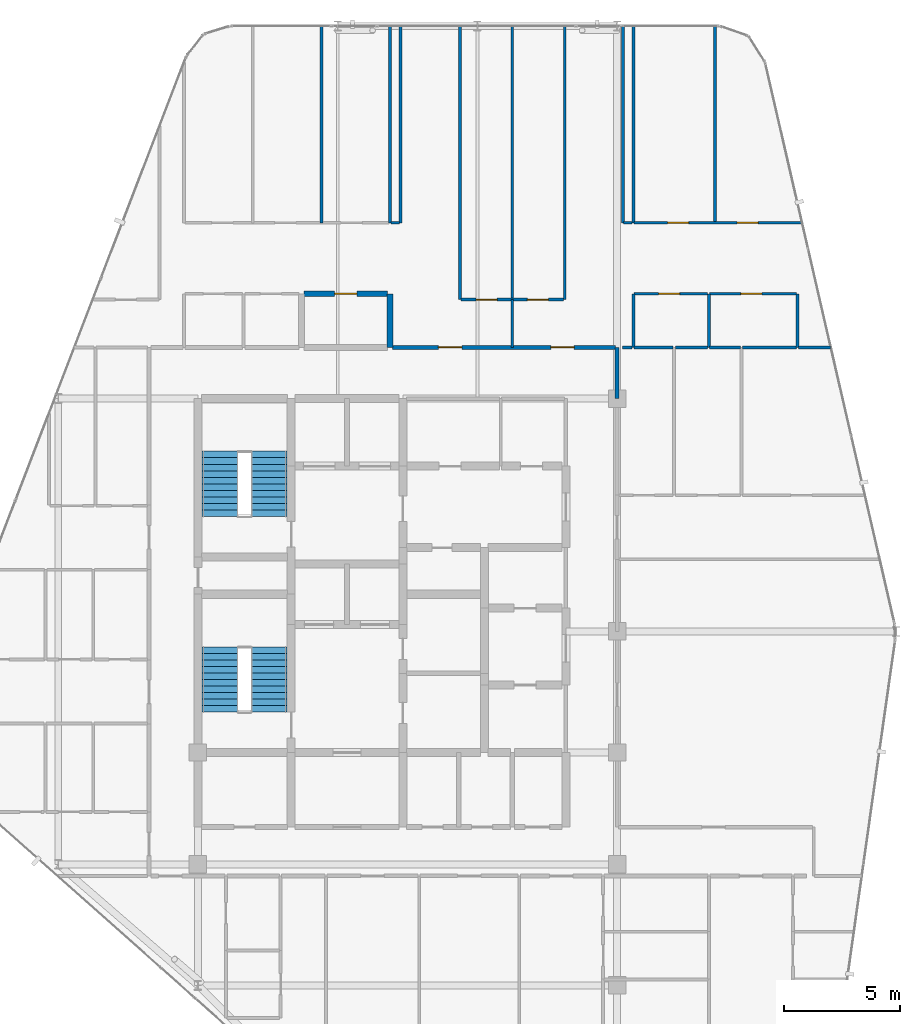
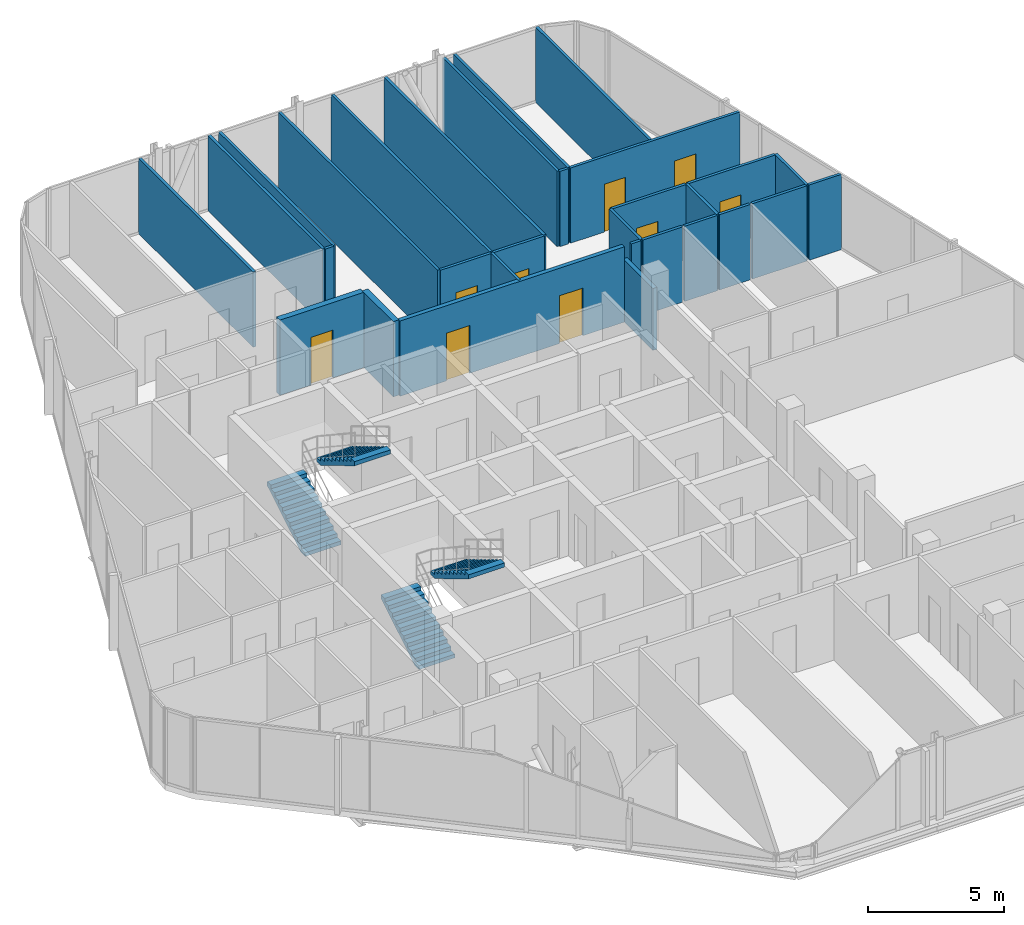
# One storey, part 26 of 27: 29 walls, 9 doors, 4 stair flights, 9 openings, 2 elements without a shape of their own.
"""IFC4 building model written with IfcOpenShell, lengths in metres."""

from ifc_helpers import new_model, si_unit, direction, frame, frame_2d, origin, place, context, subcontext, project, spatial, polyline, rectangle, outline, extrude, material, layer, layer_set, type_object, element, fill, aggregate, save


model = new_model("IFC4")

# Units and contexts
model_context = context("Model", 3, precision=1e-05, world=origin(), true_north=direction((0.0, 1.0)))
body_context = subcontext(model_context, "Body", "Model", "MODEL_VIEW")
ifc_project = project(units=[si_unit("LENGTHUNIT", "METRE"), si_unit("AREAUNIT", "SQUARE_METRE"), si_unit("VOLUMEUNIT", "CUBIC_METRE"), si_unit("PLANEANGLEUNIT", "RADIAN"), si_unit("MASSUNIT", "GRAM", prefix="KILO")], contexts=[model_context])

# Site, building, storey
site_placement = place(None, origin())
site = spatial("IfcSite", under=ifc_project, at=site_placement, CompositionType="ELEMENT")
building_placement = place(site_placement, origin())
building = spatial("IfcBuilding", under=site, at=building_placement, Name="Keshet Zoharim Tower", CompositionType="ELEMENT")
storey_placement = place(building_placement, frame((0.0, 0.0, 273.199951171875)))
storey = spatial("IfcBuildingStorey", under=building, at=storey_placement, Name="L68", CompositionType="ELEMENT", Elevation=273.199951171875)

# Wall, openings, doors
ifc_material_1 = material(Name="Gypsum Plasterboard", Category="gypsum")
ifc_layer_1 = layer(ifc_material_1, 0.179931640625)
ifc_layer_set_1 = layer_set([ifc_layer_1], Name="Gypsum Plasterboard")
wall_type_1 = type_object("IfcWallType", Name="WL-CORR-180", PredefinedType="STANDARD", material=ifc_layer_set_1)
wall_1_placement = place(storey_placement, frame((23.360107421875, 40.10009765625, 0.0), z_axis=(0.0, 0.0, 1.0), x_axis=(1.0, 0.0, 0.0)))
wall_1 = element("IfcWall", 1, at=wall_1_placement, inside=storey, type_object=wall_type_1, Name="L68 Interior Wall 154", PredefinedType="STANDARD", context=body_context, shape_type="SweptSolid", body=[
    extrude(rectangle(XDim=9.56494140625, YDim=0.179931640625, at=frame_2d((4.782470703125, 0.0))), origin(), (0.0, 0.0, 1.0), 3.39013671875),
])
opening_1_placement = place(wall_1_placement, frame((1.969970703125, 0.0, 0.0)))
opening_1 = element("IfcOpeningElement", 2, at=opening_1_placement, cuts=wall_1, Name="Opening D-F310", PredefinedType="OPENING", context=body_context, shape_type="SweptSolid", body=[
    extrude(rectangle(XDim=1.0, YDim=2.14990234375, at=frame_2d((0.5, 1.074951171875))), frame((0.0, 0.10009765625, 0.0), z_axis=(0.0, -1.0, 0.0), x_axis=(1.0, 0.0, 0.0)), (0.0, 0.0, 1.0), 0.199951171875),
])
opening_2_placement = place(wall_1_placement, frame((6.79296875, 0.0, 0.0)))
opening_2 = element("IfcOpeningElement", 3, at=opening_2_placement, cuts=wall_1, Name="Opening D-F310", PredefinedType="OPENING", context=body_context, shape_type="SweptSolid", body=[
    extrude(rectangle(XDim=1.0, YDim=2.14990234375, at=frame_2d((0.5, 1.074951171875))), frame((0.0, 0.10009765625, 0.0), z_axis=(0.0, -1.0, 0.0), x_axis=(1.0, 0.0, 0.0)), (0.0, 0.0, 1.0), 0.199951171875),
])
ifc_material_2 = material(Name="Hardwood Timber", Category="wood")
door_type_1 = type_object("IfcDoorType", Name="DR-FD30-100", OperationType="NOTDEFINED", PredefinedType="DOOR", material=ifc_material_2)
door_1_placement = place(opening_1_placement, origin())
door_1 = element("IfcDoor", 4, at=door_1_placement, inside=storey, type_object=door_type_1, Name="Apartment 6804 Entrance Door", OperationType="SINGLE_SWING_LEFT", OverallHeight=2.14990234375, OverallWidth=1.0, PredefinedType="DOOR", context=body_context, shape_type="SweptSolid", body=[
    extrude(rectangle(XDim=1.0, YDim=2.14990234375, at=frame_2d((0.5, 1.074951171875))), frame((0.0, 0.02490234375, 0.0), z_axis=(0.0, -1.0, 0.0), x_axis=(1.0, 0.0, 0.0)), (0.0, 0.0, 1.0), 0.050048828125),
])
fill(opening_1, door_1)
door_2_placement = place(opening_2_placement, origin())
door_2 = element("IfcDoor", 5, at=door_2_placement, inside=storey, type_object=door_type_1, Name="Apartment 6805 Entrance Door", OperationType="SINGLE_SWING_RIGHT", OverallHeight=2.14990234375, OverallWidth=1.0, PredefinedType="DOOR", context=body_context, shape_type="SweptSolid", body=[
    extrude(rectangle(XDim=1.0, YDim=2.14990234375, at=frame_2d((0.5, 1.074951171875))), frame((0.0, 0.02490234375, 0.0), z_axis=(0.0, -1.0, 0.0), x_axis=(1.0, 0.0, 0.0)), (0.0, 0.0, 1.0), 0.050048828125),
])
fill(opening_2, door_2)

# Walls
wall_2_placement = place(storey_placement, frame((33.0, 37.89990234375, 0.0), z_axis=(0.0, 0.0, 1.0), x_axis=(0.0, 1.0, 0.0)))
element("IfcWall", 6, at=wall_2_placement, inside=storey, type_object=wall_type_1, Name="L68 Interior Wall 070 Part 2", PredefinedType="STANDARD", context=body_context, shape_type="SweptSolid", body=[
    extrude(rectangle(XDim=2.2001953125, YDim=0.179931640625, at=frame_2d((1.10009765625, 0.0))), origin(), (0.0, 0.0, 1.0), 2.7900390625),
])
ifc_material_3 = material(Name="Concrete C50/60", Category="concrete")
ifc_layer_2 = layer(ifc_material_3, 0.25)
ifc_layer_set_2 = layer_set([ifc_layer_2], Name="Concrete C50/60")
wall_type_2 = type_object("IfcWallType", Name="WL-MAMAD-250", PredefinedType="STANDARD", material=ifc_layer_set_2)
wall_3_placement = place(storey_placement, frame((23.25, 40.10009765625, 0.0), z_axis=(0.0, 0.0, 1.0), x_axis=(0.0, 1.0, 0.0)))
element("IfcWall", 7, at=wall_3_placement, inside=storey, type_object=wall_type_2, Name="L68 Interior Wall 036", PredefinedType="STANDARD", context=body_context, shape_type="SweptSolid", body=[
    extrude(rectangle(XDim=2.2998046875, YDim=0.25, at=frame_2d((1.14990234375, 0.0))), origin(), (0.0, 0.0, 1.0), 3.39013671875),
])

# Wall, opening, door
wall_4_placement = place(storey_placement, frame((19.553955078125, 42.39990234375, 0.0), z_axis=(0.0, 0.0, 1.0), x_axis=(1.0, 0.0, 0.0)))
wall_4 = element("IfcWall", 8, at=wall_4_placement, inside=storey, type_object=wall_type_2, Name="L68 Interior Wall 165", PredefinedType="STANDARD", context=body_context, shape_type="SweptSolid", body=[
    extrude(rectangle(XDim=3.5859375, YDim=0.25, at=frame_2d((1.79296875, 0.0))), origin(), (0.0, 0.0, 1.0), 3.39013671875),
])
opening_3_placement = place(wall_4_placement, frame((1.318115234375, 0.0, 0.0)))
opening_3 = element("IfcOpeningElement", 9, at=opening_3_placement, cuts=wall_4, Name="Opening D-F695", PredefinedType="OPENING", context=body_context, shape_type="SweptSolid", body=[
    extrude(rectangle(XDim=0.949951171875, YDim=2.14990234375, at=frame_2d((0.47509765625, 1.074951171875))), frame((0.0, 0.135009765625, 0.0), z_axis=(0.0, -1.0, 0.0), x_axis=(1.0, 0.0, 0.0)), (0.0, 0.0, 1.0), 0.27001953125),
])
door_type_2 = type_object("IfcDoorType", Name="DR-FD60-095", OperationType="NOTDEFINED", PredefinedType="DOOR", material=ifc_material_2)
door_3_placement = place(opening_3_placement, origin())
door_3 = element("IfcDoor", 10, at=door_3_placement, inside=storey, type_object=door_type_2, Name="Apartment 6804 Study and Shelter Room Door", OperationType="SINGLE_SWING_RIGHT", OverallHeight=2.14990234375, OverallWidth=0.949951171875, PredefinedType="DOOR", context=body_context, shape_type="SweptSolid", body=[
    extrude(rectangle(XDim=0.949951171875, YDim=2.14990234375, at=frame_2d((0.47509765625, 1.074951171875))), frame((0.0, 0.02490234375, 0.0), z_axis=(0.0, -1.0, 0.0), x_axis=(1.0, 0.0, 0.0)), (0.0, 0.0, 1.0), 0.050048828125),
])
fill(opening_3, door_3)

# Walls
ifc_layer_3 = layer(ifc_material_1, 0.1201171875)
ifc_layer_set_3 = layer_set([ifc_layer_3], Name="Gypsum Plasterboard")
wall_type_3 = type_object("IfcWallType", Name="WL-PART-120", PredefinedType="PARTITIONING", material=ifc_layer_set_3)
for number, where, z_axis, x_axis, name in (
    (11, (20.300048828125, 45.449951171875, 0.0), (0.0, 0.0, 1.0), (0.0, 1.0, 0.0), "L68 Interior Wall 032"),
    (12, (23.25, 45.449951171875, 0.0), (0.0, 0.0, 1.0), (0.0, 1.0, 0.0), "L68 Interior Wall 037"),
    (13, (23.699951171875, 45.449951171875, 0.0), (0.0, 0.0, 1.0), (0.0, 1.0, 0.0), "L68 Interior Wall 038"),
):
    element("IfcWall", number, at=place(storey_placement, frame(where, z_axis=z_axis, x_axis=x_axis)), inside=storey, type_object=wall_type_3, Name=name, PredefinedType="PARTITIONING", context=body_context, shape_type="SweptSolid", body=[
        extrude(rectangle(XDim=8.43994140625, YDim=0.1201171875, at=frame_2d((4.219970703125, 0.0))), origin(), (0.0, 0.0, 1.0), 3.39013671875),
    ])
wall_5_placement = place(storey_placement, frame((26.25, 42.14990234375, 0.0), z_axis=(0.0, 0.0, 1.0), x_axis=(0.0, 1.0, 0.0)))
element("IfcWall", 14, at=wall_5_placement, inside=storey, type_object=wall_type_3, Name="L68 Interior Wall 048", PredefinedType="PARTITIONING", context=body_context, shape_type="SweptSolid", body=[
    extrude(rectangle(XDim=11.739990234375, YDim=0.1201171875, at=frame_2d((5.8701171875, 0.0))), origin(), (0.0, 0.0, 1.0), 3.39013671875),
])
wall_6_placement = place(storey_placement, frame((28.5, 40.10009765625, 0.0), z_axis=(0.0, 0.0, 1.0), x_axis=(0.0, 1.0, 0.0)))
element("IfcWall", 15, at=wall_6_placement, inside=storey, type_object=wall_type_3, Name="L68 Interior Wall 055", PredefinedType="PARTITIONING", context=body_context, shape_type="SweptSolid", body=[
    extrude(rectangle(XDim=2.0498046875, YDim=0.1201171875, at=frame_2d((1.02490234375, 0.0))), origin(), (0.0, 0.0, 1.0), 3.39013671875),
])
for number, where, z_axis, x_axis, name in (
    (16, (28.5, 42.14990234375, 0.0), (0.0, 0.0, 1.0), (0.0, 1.0, 0.0), "L68 Interior Wall 056"),
    (17, (30.75, 42.14990234375, 0.0), (0.0, 0.0, 1.0), (0.0, 1.0, 0.0), "L68 Interior Wall 058"),
):
    element("IfcWall", number, at=place(storey_placement, frame(where, z_axis=z_axis, x_axis=x_axis)), inside=storey, type_object=wall_type_3, Name=name, PredefinedType="PARTITIONING", context=body_context, shape_type="SweptSolid", body=[
        extrude(rectangle(XDim=11.739990234375, YDim=0.1201171875, at=frame_2d((5.8701171875, 0.0))), origin(), (0.0, 0.0, 1.0), 3.39013671875),
    ])
wall_7_placement = place(storey_placement, frame((33.25, 45.449951171875, 0.0), z_axis=(0.0, 0.0, 1.0), x_axis=(0.0, 1.0, 0.0)))
element("IfcWall", 18, at=wall_7_placement, inside=storey, type_object=wall_type_3, Name="L68 Interior Wall 071", PredefinedType="PARTITIONING", context=body_context, shape_type="SweptSolid", body=[
    extrude(rectangle(XDim=8.43994140625, YDim=0.1201171875, at=frame_2d((4.219970703125, 0.0))), origin(), (0.0, 0.0, 1.0), 3.39013671875),
])
wall_8_placement = place(storey_placement, frame((33.699951171875, 40.10009765625, 0.0), z_axis=(0.0, 0.0, 1.0), x_axis=(0.0, 1.0, 0.0)))
element("IfcWall", 19, at=wall_8_placement, inside=storey, type_object=wall_type_3, Name="L68 Interior Wall 072", PredefinedType="PARTITIONING", context=body_context, shape_type="SweptSolid", body=[
    extrude(rectangle(XDim=2.2998046875, YDim=0.1201171875, at=frame_2d((1.14990234375, 0.0))), origin(), (0.0, 0.0, 1.0), 3.39013671875),
])
for number, where, z_axis, x_axis, name in (
    (20, (33.699951171875, 45.449951171875, 0.0), (0.0, 0.0, 1.0), (0.0, 1.0, 0.0), "L68 Interior Wall 073"),
    (21, (37.199951171875, 45.449951171875, 0.0), (0.0, 0.0, 1.0), (0.0, 1.0, 0.0), "L68 Interior Wall 079"),
):
    element("IfcWall", number, at=place(storey_placement, frame(where, z_axis=z_axis, x_axis=x_axis)), inside=storey, type_object=wall_type_3, Name=name, PredefinedType="PARTITIONING", context=body_context, shape_type="SweptSolid", body=[
        extrude(rectangle(XDim=8.43994140625, YDim=0.1201171875, at=frame_2d((4.219970703125, 0.0))), origin(), (0.0, 0.0, 1.0), 3.39013671875),
    ])
wall_9_placement = place(storey_placement, frame((33.22998046875, 40.10009765625, 0.0), z_axis=(0.0, 0.0, 1.0), x_axis=(1.0, 0.0, 0.0)))
element("IfcWall", 22, at=wall_9_placement, inside=storey, type_object=wall_type_3, Name="L68 Interior Wall 155", PredefinedType="PARTITIONING", context=body_context, shape_type="SweptSolid", body=[
    extrude(rectangle(XDim=0.405029296875, YDim=0.1201171875, at=frame_2d((0.20263671875, 0.0))), origin(), (0.0, 0.0, 1.0), 3.39013671875),
])
wall_10_placement = place(storey_placement, frame((33.72509765625, 40.10009765625, 0.0), z_axis=(0.0, 0.0, 1.0), x_axis=(1.0, 0.0, 0.0)))
element("IfcWall", 23, at=wall_10_placement, inside=storey, type_object=wall_type_3, Name="L68 Interior Wall 156", PredefinedType="PARTITIONING", context=body_context, shape_type="SweptSolid", body=[
    extrude(rectangle(XDim=1.684814453125, YDim=0.1201171875, at=frame_2d((0.84228515625, 0.0))), origin(), (0.0, 0.0, 1.0), 3.39013671875),
])
wall_11_placement = place(storey_placement, frame((40.7958984375, 40.10009765625, 0.0), z_axis=(0.0, 0.0, 1.0), x_axis=(1.0, 0.0, 0.0)))
element("IfcWall", 24, at=wall_11_placement, inside=storey, type_object=wall_type_3, Name="L68 Interior Wall 160", PredefinedType="PARTITIONING", context=body_context, shape_type="SweptSolid", body=[
    extrude(rectangle(XDim=1.379150390625, YDim=0.1201171875, at=frame_2d((0.689453125, 0.0))), origin(), (0.0, 0.0, 1.0), 3.39013671875),
])

# Wall, openings, doors
wall_12_placement = place(storey_placement, frame((26.294921875, 42.14990234375, 0.0), z_axis=(0.0, 0.0, 1.0), x_axis=(1.0, 0.0, 0.0)))
wall_12 = element("IfcWall", 25, at=wall_12_placement, inside=storey, type_object=wall_type_3, Name="L68 Interior Wall 162", PredefinedType="PARTITIONING", context=body_context, shape_type="SweptSolid", body=[
    extrude(rectangle(XDim=4.41015625, YDim=0.1201171875, at=frame_2d((2.205078125, 0.0))), origin(), (0.0, 0.0, 1.0), 3.39013671875),
])
opening_4_placement = place(wall_12_placement, frame((0.655029296875, 0.0, 0.0)))
opening_4 = element("IfcOpeningElement", 26, at=opening_4_placement, cuts=wall_12, Name="Opening D-IN90", PredefinedType="OPENING", context=body_context, shape_type="SweptSolid", body=[
    extrude(rectangle(XDim=0.89990234375, YDim=2.14990234375, at=frame_2d((0.449951171875, 1.074951171875))), frame((0.0, 0.070068359375, 0.0), z_axis=(0.0, -1.0, 0.0), x_axis=(1.0, 0.0, 0.0)), (0.0, 0.0, 1.0), 0.14013671875),
])
opening_5_placement = place(wall_12_placement, frame((2.85498046875, 0.0, 0.0)))
opening_5 = element("IfcOpeningElement", 27, at=opening_5_placement, cuts=wall_12, Name="Opening D-IN90", PredefinedType="OPENING", context=body_context, shape_type="SweptSolid", body=[
    extrude(rectangle(XDim=0.89990234375, YDim=2.14990234375, at=frame_2d((0.449951171875, 1.074951171875))), frame((0.0, 0.070068359375, 0.0), z_axis=(0.0, -1.0, 0.0), x_axis=(1.0, 0.0, 0.0)), (0.0, 0.0, 1.0), 0.14013671875),
])
door_type_3 = type_object("IfcDoorType", Name="DR-INT-090", OperationType="NOTDEFINED", PredefinedType="DOOR", material=ifc_material_2)
door_4_placement = place(opening_4_placement, origin())
door_4 = element("IfcDoor", 28, at=door_4_placement, inside=storey, type_object=door_type_3, Name="Apartment 6804 Formal Dining Room Door", OperationType="SINGLE_SWING_RIGHT", OverallHeight=2.14990234375, OverallWidth=0.89990234375, PredefinedType="DOOR", context=body_context, shape_type="SweptSolid", body=[
    extrude(rectangle(XDim=0.89990234375, YDim=2.14990234375, at=frame_2d((0.449951171875, 1.074951171875))), frame((0.0, 0.02490234375, 0.0), z_axis=(0.0, -1.0, 0.0), x_axis=(1.0, 0.0, 0.0)), (0.0, 0.0, 1.0), 0.050048828125),
])
fill(opening_4, door_4)
door_5_placement = place(opening_5_placement, origin())
door_5 = element("IfcDoor", 29, at=door_5_placement, inside=storey, type_object=door_type_3, Name="Apartment 6805 Formal Dining Room Door", OperationType="SINGLE_SWING_LEFT", OverallHeight=2.14990234375, OverallWidth=0.89990234375, PredefinedType="DOOR", context=body_context, shape_type="SweptSolid", body=[
    extrude(rectangle(XDim=0.89990234375, YDim=2.14990234375, at=frame_2d((0.449951171875, 1.074951171875))), frame((0.0, 0.02490234375, 0.0), z_axis=(0.0, -1.0, 0.0), x_axis=(1.0, 0.0, 0.0)), (0.0, 0.0, 1.0), 0.050048828125),
])
fill(opening_5, door_5)

# Wall, opening, door
wall_13_placement = place(storey_placement, frame((33.72509765625, 42.39990234375, 0.0), z_axis=(0.0, 0.0, 1.0), x_axis=(1.0, 0.0, 0.0)))
wall_13 = element("IfcWall", 30, at=wall_13_placement, inside=storey, type_object=wall_type_3, Name="L68 Interior Wall 166", PredefinedType="PARTITIONING", context=body_context, shape_type="SweptSolid", body=[
    extrude(rectangle(XDim=3.162841796875, YDim=0.1201171875, at=frame_2d((1.58154296875, 0.0))), origin(), (0.0, 0.0, 1.0), 3.39013671875),
])
opening_6_placement = place(wall_13_placement, frame((1.06005859375, 0.0, 0.0)))
opening_6 = element("IfcOpeningElement", 31, at=opening_6_placement, cuts=wall_13, Name="Opening D-IN90", PredefinedType="OPENING", context=body_context, shape_type="SweptSolid", body=[
    extrude(rectangle(XDim=0.89990234375, YDim=2.14990234375, at=frame_2d((0.449951171875, 1.074951171875))), frame((0.0, 0.070068359375, 0.0), z_axis=(0.0, -1.0, 0.0), x_axis=(1.0, 0.0, 0.0)), (0.0, 0.0, 1.0), 0.14013671875),
])
door_6_placement = place(opening_6_placement, origin())
door_6 = element("IfcDoor", 32, at=door_6_placement, inside=storey, type_object=door_type_3, Name="Apartment 6805 Kitchen Door", OperationType="SINGLE_SWING_LEFT", OverallHeight=2.14990234375, OverallWidth=0.89990234375, PredefinedType="DOOR", context=body_context, shape_type="SweptSolid", body=[
    extrude(rectangle(XDim=0.89990234375, YDim=2.14990234375, at=frame_2d((0.449951171875, 1.074951171875))), frame((0.0, 0.02490234375, 0.0), z_axis=(0.0, -1.0, 0.0), x_axis=(1.0, 0.0, 0.0)), (0.0, 0.0, 1.0), 0.050048828125),
])
fill(opening_6, door_6)

# Walls
for number, where, z_axis, x_axis, name in (
    (33, (23.294921875, 45.449951171875, 0.0), (0.0, 0.0, 1.0), (1.0, 0.0, 0.0), "L68 Interior Wall 169"),
    (34, (33.27490234375, 45.449951171875, 0.0), (0.0, 0.0, 1.0), (1.0, 0.0, 0.0), "L68 Interior Wall 170"),
):
    element("IfcWall", number, at=place(storey_placement, frame(where, z_axis=z_axis, x_axis=x_axis)), inside=storey, type_object=wall_type_3, Name=name, PredefinedType="PARTITIONING", context=body_context, shape_type="SweptSolid", body=[
        extrude(rectangle(XDim=0.360107421875, YDim=0.1201171875, at=frame_2d((0.18017578125, 0.0))), origin(), (0.0, 0.0, 1.0), 3.39013671875),
    ])

# Wall, openings, doors
wall_14_placement = place(storey_placement, frame((33.72509765625, 45.449951171875, 0.0), z_axis=(0.0, 0.0, 1.0), x_axis=(1.0, 0.0, 0.0)))
wall_14 = element("IfcWall", 35, at=wall_14_placement, inside=storey, type_object=wall_type_3, Name="L68 Interior Wall 171", PredefinedType="PARTITIONING", context=body_context, shape_type="SweptSolid", body=[
    extrude(rectangle(XDim=7.21484375, YDim=0.1201171875, at=frame_2d((3.607421875, 0.0))), origin(), (0.0, 0.0, 1.0), 3.39013671875),
])
opening_7_placement = place(wall_14_placement, frame((1.447998046875, 0.0, 0.0)))
opening_7 = element("IfcOpeningElement", 36, at=opening_7_placement, cuts=wall_14, Name="Opening D-IN90", PredefinedType="OPENING", context=body_context, shape_type="SweptSolid", body=[
    extrude(rectangle(XDim=0.89990234375, YDim=2.14990234375, at=frame_2d((0.449951171875, 1.074951171875))), frame((0.0, 0.070068359375, 0.0), z_axis=(0.0, -1.0, 0.0), x_axis=(1.0, 0.0, 0.0)), (0.0, 0.0, 1.0), 0.14013671875),
])
opening_8_placement = place(wall_14_placement, frame((4.43603515625, 0.0, 0.0)))
opening_8 = element("IfcOpeningElement", 37, at=opening_8_placement, cuts=wall_14, Name="Opening D-IN90", PredefinedType="OPENING", context=body_context, shape_type="SweptSolid", body=[
    extrude(rectangle(XDim=0.89990234375, YDim=2.14990234375, at=frame_2d((0.449951171875, 1.074951171875))), frame((0.0, 0.070068359375, 0.0), z_axis=(0.0, -1.0, 0.0), x_axis=(1.0, 0.0, 0.0)), (0.0, 0.0, 1.0), 0.14013671875),
])
door_7_placement = place(opening_7_placement, origin())
door_7 = element("IfcDoor", 38, at=door_7_placement, inside=storey, type_object=door_type_3, Name="Apartment 6805 Bedroom 1 Door", OperationType="SINGLE_SWING_RIGHT", OverallHeight=2.14990234375, OverallWidth=0.89990234375, PredefinedType="DOOR", context=body_context, shape_type="SweptSolid", body=[
    extrude(rectangle(XDim=0.89990234375, YDim=2.14990234375, at=frame_2d((0.449951171875, 1.074951171875))), frame((0.0, 0.02490234375, 0.0), z_axis=(0.0, -1.0, 0.0), x_axis=(1.0, 0.0, 0.0)), (0.0, 0.0, 1.0), 0.050048828125),
])
fill(opening_7, door_7)
door_8_placement = place(opening_8_placement, origin())
door_8 = element("IfcDoor", 39, at=door_8_placement, inside=storey, type_object=door_type_3, Name="Apartment 6805 Bedroom 2 Door", OperationType="SINGLE_SWING_LEFT", OverallHeight=2.14990234375, OverallWidth=0.89990234375, PredefinedType="DOOR", context=body_context, shape_type="SweptSolid", body=[
    extrude(rectangle(XDim=0.89990234375, YDim=2.14990234375, at=frame_2d((0.449951171875, 1.074951171875))), frame((0.0, 0.02490234375, 0.0), z_axis=(0.0, -1.0, 0.0), x_axis=(1.0, 0.0, 0.0)), (0.0, 0.0, 1.0), 0.050048828125),
])
fill(opening_8, door_8)

# Walls
ifc_layer_4 = layer(ifc_material_1, 0.1201171875)
ifc_layer_set_4 = layer_set([ifc_layer_4], Name="Gypsum Plasterboard")
wall_type_4 = type_object("IfcWallType", Name="WL-WET-120", PredefinedType="PARTITIONING", material=ifc_layer_set_4)
for number, where, z_axis, x_axis, name in (
    (40, (36.949951171875, 40.10009765625, 0.0), (0.0, 0.0, 1.0), (0.0, 1.0, 0.0), "L68 Interior Wall 078"),
    (41, (40.75, 40.10009765625, 0.0), (0.0, 0.0, 1.0), (0.0, 1.0, 0.0), "L68 Interior Wall 084"),
):
    element("IfcWall", number, at=place(storey_placement, frame(where, z_axis=z_axis, x_axis=x_axis)), inside=storey, type_object=wall_type_4, Name=name, PredefinedType="PARTITIONING", context=body_context, shape_type="SweptSolid", body=[
        extrude(rectangle(XDim=2.2998046875, YDim=0.1201171875, at=frame_2d((1.14990234375, 0.0))), origin(), (0.0, 0.0, 1.0), 3.39013671875),
    ])
wall_15_placement = place(storey_placement, frame((35.5, 40.10009765625, 0.0), z_axis=(0.0, 0.0, 1.0), x_axis=(1.0, 0.0, 0.0)))
element("IfcWall", 42, at=wall_15_placement, inside=storey, type_object=wall_type_4, Name="L68 Interior Wall 157", PredefinedType="PARTITIONING", context=body_context, shape_type="SweptSolid", body=[
    extrude(rectangle(XDim=1.387939453125, YDim=0.1201171875, at=frame_2d((0.69384765625, 0.0))), origin(), (0.0, 0.0, 1.0), 3.39013671875),
])
wall_16_placement = place(storey_placement, frame((36.97802734375, 40.10009765625, 0.0), z_axis=(0.0, 0.0, 1.0), x_axis=(1.0, 0.0, 0.0)))
element("IfcWall", 43, at=wall_16_placement, inside=storey, type_object=wall_type_4, Name="L68 Interior Wall 158", PredefinedType="PARTITIONING", context=body_context, shape_type="SweptSolid", body=[
    extrude(rectangle(XDim=1.31494140625, YDim=0.1201171875, at=frame_2d((0.657470703125, 0.0))), origin(), (0.0, 0.0, 1.0), 3.39013671875),
])
wall_17_placement = place(storey_placement, frame((38.383056640625, 40.10009765625, 0.0), z_axis=(0.0, 0.0, 1.0), x_axis=(1.0, 0.0, 0.0)))
element("IfcWall", 44, at=wall_17_placement, inside=storey, type_object=wall_type_4, Name="L68 Interior Wall 159", PredefinedType="PARTITIONING", context=body_context, shape_type="SweptSolid", body=[
    extrude(rectangle(XDim=2.322998046875, YDim=0.1201171875, at=frame_2d((1.16162109375, 0.0))), origin(), (0.0, 0.0, 1.0), 3.39013671875),
])

# Wall, opening, door
wall_18_placement = place(storey_placement, frame((36.97802734375, 42.39990234375, 0.0), z_axis=(0.0, 0.0, 1.0), x_axis=(1.0, 0.0, 0.0)))
wall_18 = element("IfcWall", 45, at=wall_18_placement, inside=storey, type_object=wall_type_4, Name="L68 Interior Wall 167", PredefinedType="PARTITIONING", context=body_context, shape_type="SweptSolid", body=[
    extrude(rectangle(XDim=3.72802734375, YDim=0.1201171875, at=frame_2d((1.864013671875, 0.0))), origin(), (0.0, 0.0, 1.0), 3.39013671875),
])
opening_9_placement = place(wall_18_placement, frame((1.343017578125, 0.0, 0.0)))
opening_9 = element("IfcOpeningElement", 46, at=opening_9_placement, cuts=wall_18, Name="Opening D-WT90", PredefinedType="OPENING", context=body_context, shape_type="SweptSolid", body=[
    extrude(rectangle(XDim=0.89990234375, YDim=2.10009765625, at=frame_2d((0.449951171875, 1.050048828125))), frame((0.0, 0.070068359375, 0.0), z_axis=(0.0, -1.0, 0.0), x_axis=(1.0, 0.0, 0.0)), (0.0, 0.0, 1.0), 0.14013671875),
])
door_type_4 = type_object("IfcDoorType", Name="DR-WET-090", OperationType="NOTDEFINED", PredefinedType="DOOR", material=ifc_material_2)
door_9_placement = place(opening_9_placement, origin())
door_9 = element("IfcDoor", 47, at=door_9_placement, inside=storey, type_object=door_type_4, Name="Apartment 6805 Bathroom Door", OperationType="SINGLE_SWING_RIGHT", OverallHeight=2.10009765625, OverallWidth=0.89990234375, PredefinedType="DOOR", context=body_context, shape_type="SweptSolid", body=[
    extrude(rectangle(XDim=0.89990234375, YDim=2.10009765625, at=frame_2d((0.449951171875, 1.050048828125))), frame((0.0, 0.02490234375, 0.0), z_axis=(0.0, -1.0, 0.0), x_axis=(1.0, 0.0, 0.0)), (0.0, 0.0, 1.0), 0.050048828125),
])
fill(opening_9, door_9)

# Stair, stair flights
stair_type = type_object("IfcStairType", Name="STR-EXIT-135", PredefinedType="HALF_TURN_STAIR", material=ifc_material_3)
stair_1_placement = place(storey_placement, origin())
stair_1 = element("IfcStair", 48, at=stair_1_placement, inside=storey, type_object=stair_type, Name="L68 Enclosed Exit Stair ST-01", PredefinedType="HALF_TURN_STAIR")
stair_flight_type = type_object("IfcStairFlightType", Name="FLT-PRE-135", PredefinedType="STRAIGHT", material=ifc_material_3)
stair_flight_1_placement = place(storey_placement, frame((15.945068359375, 24.43994140625, 0.0), z_axis=(0.0, 0.0, 1.0), x_axis=(0.0, 1.0, 0.0)))
stair_flight_1 = element("IfcStairFlight", 49, at=stair_flight_1_placement, type_object=stair_flight_type, Name="ST-01 flight 1", NumberOfRisers=11, NumberOfTreads=10, PredefinedType="STRAIGHT", RiserHeight=0.168182, TreadLength=0.28, context=body_context, shape_type="SweptSolid", body=[
    extrude(outline(polyline([(0.0, 0.0), (0.0, 0.168212890625), (0.280029296875, 0.168212890625), (0.280029296875, 0.33642578125), (0.56005859375, 0.33642578125), (0.56005859375, 0.504638671875), (0.840087890625, 0.504638671875), (0.840087890625, 0.672607421875), (1.1201171875, 0.672607421875), (1.1201171875, 0.8408203125), (1.39990234375, 0.8408203125), (1.39990234375, 1.009033203125), (1.679931640625, 1.009033203125), (1.679931640625, 1.17724609375), (1.9599609375, 1.17724609375), (1.9599609375, 1.345458984375), (2.239990234375, 1.345458984375), (2.239990234375, 1.513671875), (2.52001953125, 1.513671875), (2.52001953125, 1.681884765625), (2.800048828125, 1.681884765625), (2.800048828125, 1.85009765625), (2.800048828125, 1.495361328125), (0.310546875, 0.0), (0.0, 0.0)])), frame((0.0, 0.76513671875, 0.0), z_axis=(0.0, -1.0, 0.0), x_axis=(1.0, 0.0, 0.0)), (0.0, 0.0, 1.0), 1.530029296875),
])
stair_flight_2_placement = place(storey_placement, frame((18.054931640625, 27.239990234375, 1.85009765625), z_axis=(0.0, 0.0, 1.0), x_axis=(0.0, -1.0, 0.0)))
stair_flight_2 = element("IfcStairFlight", 50, at=stair_flight_2_placement, type_object=stair_flight_type, Name="ST-01 flight 2", NumberOfRisers=11, NumberOfTreads=10, PredefinedType="STRAIGHT", RiserHeight=0.168182, TreadLength=0.28, context=body_context, shape_type="SweptSolid", body=[
    extrude(outline(polyline([(0.0, 0.0), (0.0, 0.168212890625), (0.280029296875, 0.168212890625), (0.280029296875, 0.33642578125), (0.56005859375, 0.33642578125), (0.56005859375, 0.504638671875), (0.840087890625, 0.504638671875), (0.840087890625, 0.672607421875), (1.1201171875, 0.672607421875), (1.1201171875, 0.8408203125), (1.39990234375, 0.8408203125), (1.39990234375, 1.009033203125), (1.679931640625, 1.009033203125), (1.679931640625, 1.17724609375), (1.9599609375, 1.17724609375), (1.9599609375, 1.345458984375), (2.239990234375, 1.345458984375), (2.239990234375, 1.513671875), (2.52001953125, 1.513671875), (2.52001953125, 1.681884765625), (2.800048828125, 1.681884765625), (2.800048828125, 1.85009765625), (2.800048828125, 1.495361328125), (0.310546875, 0.0), (0.0, 0.0)])), frame((0.0, 0.76513671875, 0.0), z_axis=(0.0, -1.0, 0.0), x_axis=(1.0, 0.0, 0.0)), (0.0, 0.0, 1.0), 1.530029296875),
])
aggregate(stair_1, [stair_flight_1, stair_flight_2])

stair_2_placement = place(storey_placement, origin())
stair_2 = element("IfcStair", 51, at=stair_2_placement, inside=storey, type_object=stair_type, Name="L68 Enclosed Exit Stair ST-02", PredefinedType="HALF_TURN_STAIR")
stair_flight_3_placement = place(storey_placement, frame((15.945068359375, 32.840087890625, 0.0), z_axis=(0.0, 0.0, 1.0), x_axis=(0.0, 1.0, 0.0)))
stair_flight_3 = element("IfcStairFlight", 52, at=stair_flight_3_placement, type_object=stair_flight_type, Name="ST-02 flight 1", NumberOfRisers=11, NumberOfTreads=10, PredefinedType="STRAIGHT", RiserHeight=0.168182, TreadLength=0.28, context=body_context, shape_type="SweptSolid", body=[
    extrude(outline(polyline([(0.0, 0.0), (0.0, 0.168212890625), (0.280029296875, 0.168212890625), (0.280029296875, 0.33642578125), (0.56005859375, 0.33642578125), (0.56005859375, 0.504638671875), (0.840087890625, 0.504638671875), (0.840087890625, 0.672607421875), (1.1201171875, 0.672607421875), (1.1201171875, 0.8408203125), (1.39990234375, 0.8408203125), (1.39990234375, 1.009033203125), (1.679931640625, 1.009033203125), (1.679931640625, 1.17724609375), (1.9599609375, 1.17724609375), (1.9599609375, 1.345458984375), (2.239990234375, 1.345458984375), (2.239990234375, 1.513671875), (2.52001953125, 1.513671875), (2.52001953125, 1.681884765625), (2.800048828125, 1.681884765625), (2.800048828125, 1.85009765625), (2.800048828125, 1.495361328125), (0.310546875, 0.0), (0.0, 0.0)])), frame((0.0, 0.76513671875, 0.0), z_axis=(0.0, -1.0, 0.0), x_axis=(1.0, 0.0, 0.0)), (0.0, 0.0, 1.0), 1.530029296875),
])
stair_flight_4_placement = place(storey_placement, frame((18.054931640625, 35.639892578125, 1.85009765625), z_axis=(0.0, 0.0, 1.0), x_axis=(0.0, -1.0, 0.0)))
stair_flight_4 = element("IfcStairFlight", 53, at=stair_flight_4_placement, type_object=stair_flight_type, Name="ST-02 flight 2", NumberOfRisers=11, NumberOfTreads=10, PredefinedType="STRAIGHT", RiserHeight=0.168182, TreadLength=0.28, context=body_context, shape_type="SweptSolid", body=[
    extrude(outline(polyline([(0.0, 0.0), (0.0, 0.168212890625), (0.280029296875, 0.168212890625), (0.280029296875, 0.33642578125), (0.56005859375, 0.33642578125), (0.56005859375, 0.504638671875), (0.840087890625, 0.504638671875), (0.840087890625, 0.672607421875), (1.1201171875, 0.672607421875), (1.1201171875, 0.8408203125), (1.39990234375, 0.8408203125), (1.39990234375, 1.009033203125), (1.679931640625, 1.009033203125), (1.679931640625, 1.17724609375), (1.9599609375, 1.17724609375), (1.9599609375, 1.345458984375), (2.239990234375, 1.345458984375), (2.239990234375, 1.513671875), (2.52001953125, 1.513671875), (2.52001953125, 1.681884765625), (2.800048828125, 1.681884765625), (2.800048828125, 1.85009765625), (2.800048828125, 1.495361328125), (0.310546875, 0.0), (0.0, 0.0)])), frame((0.0, 0.76513671875, 0.0), z_axis=(0.0, -1.0, 0.0), x_axis=(1.0, 0.0, 0.0)), (0.0, 0.0, 1.0), 1.530029296875),
])
aggregate(stair_2, [stair_flight_3, stair_flight_4])

save(model, "model.ifc")
